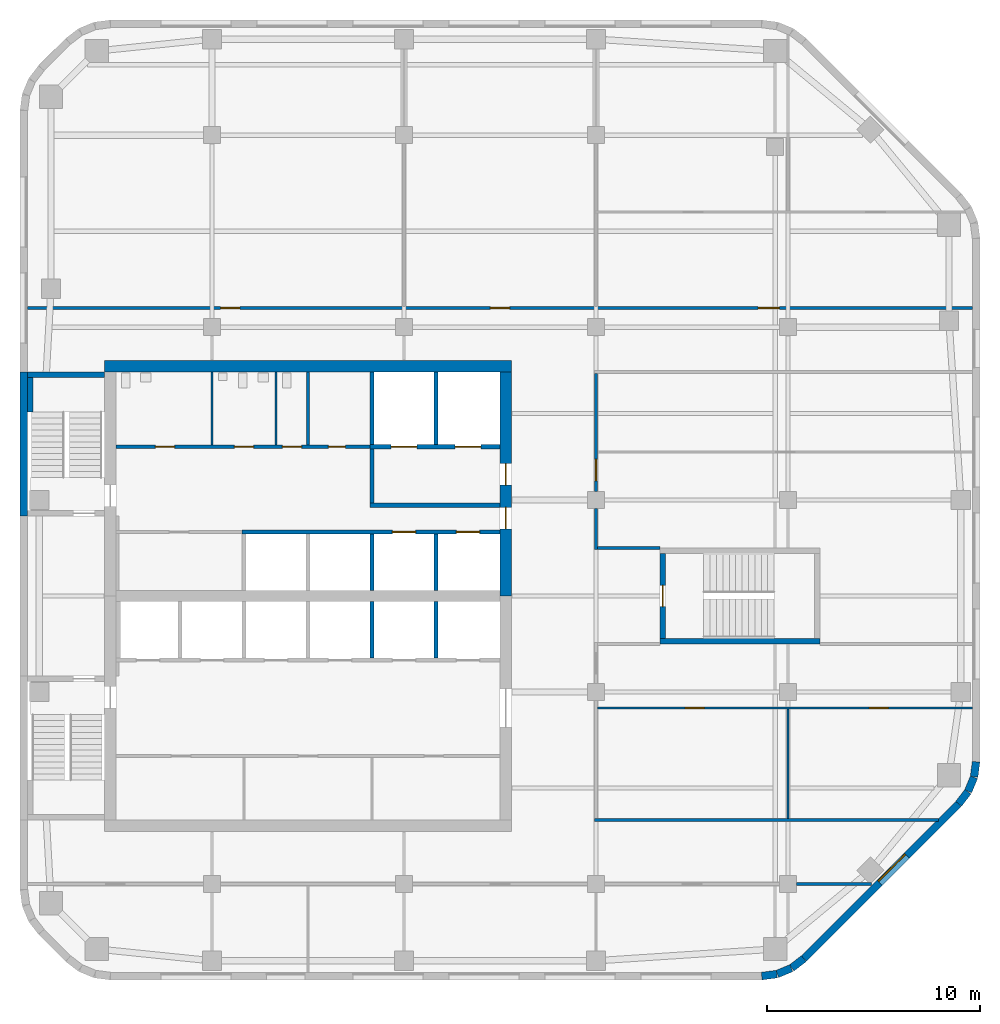
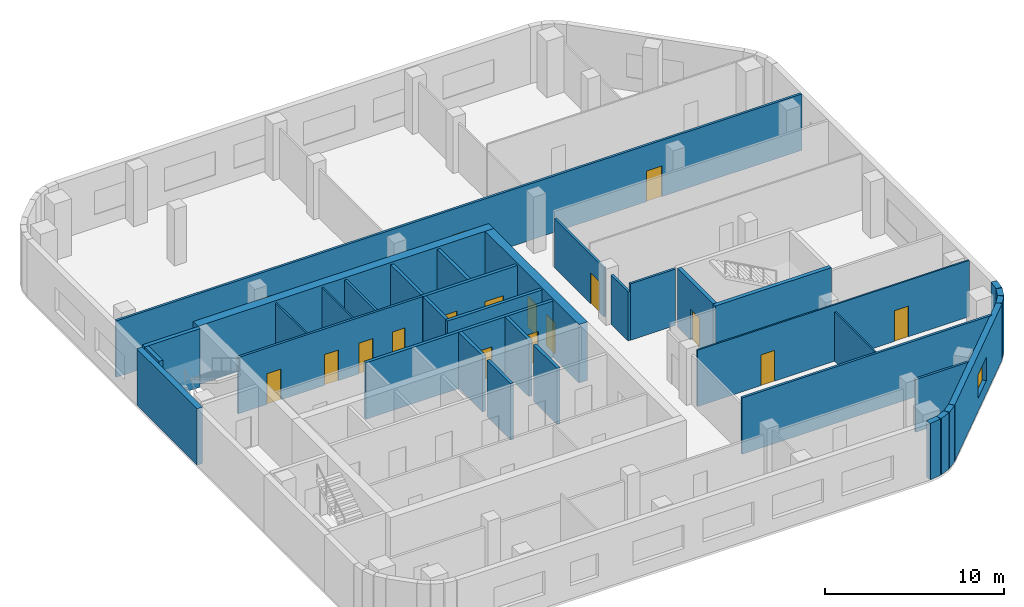
# One storey, part 4 of 8: 36 walls, 17 doors, 1 window, 18 openings.
"""IFC4 building model written with IfcOpenShell, lengths in metres."""

from ifc_helpers import new_model, si_unit, direction, frame, frame_2d, origin, place, context, subcontext, project, spatial, rectangle, extrude, material, layer, layer_set, type_object, element, fill, save


model = new_model("IFC4")

# Units and contexts
model_context = context("Model", 3, precision=1e-05, world=origin(), true_north=direction((0.0, 1.0)))
body_context = subcontext(model_context, "Body", "Model", "MODEL_VIEW")
ifc_project = project(units=[si_unit("LENGTHUNIT", "METRE"), si_unit("AREAUNIT", "SQUARE_METRE"), si_unit("VOLUMEUNIT", "CUBIC_METRE"), si_unit("PLANEANGLEUNIT", "RADIAN"), si_unit("MASSUNIT", "GRAM", prefix="KILO")], contexts=[model_context])

# Site, building, storey
site_placement = place(None, origin())
site = spatial("IfcSite", under=ifc_project, at=site_placement, CompositionType="ELEMENT")
building_placement = place(site_placement, origin())
building = spatial("IfcBuilding", under=site, at=building_placement, Name="Cinnabar Reach Civic Tower", CompositionType="ELEMENT")
storey_placement = place(building_placement, frame((0.0, 0.0, 226.0)))
storey = spatial("IfcBuildingStorey", under=building, at=storey_placement, Name="L54", CompositionType="ELEMENT", Elevation=226.0)

# Walls
ifc_material_1 = material(Name="Facing brick with insulated backing", Category="masonry")
ifc_layer_1 = layer(ifc_material_1, 0.36)
ifc_layer_set_1 = layer_set([ifc_layer_1], Name="Brick corner wall")
wall_type_1 = type_object("IfcWallType", Name="Brick corner wall", PredefinedType="STANDARD", material=ifc_layer_set_1)
for number, where, z_axis, x_axis, name in (
    (1, (34.7686, 13.683, 0.0), (0.0, 0.0, 1.0), (0.99144092581, 0.13055608231, 0.0), "Brick corner wall"),
    (2, (35.4973, 13.7819, 0.0), (0.0, 0.0, 1.0), (0.923871547278, 0.382702709855, 0.0), "Brick corner wall"),
):
    element("IfcWall", number, at=place(storey_placement, frame(where, z_axis=z_axis, x_axis=x_axis)), inside=storey, type_object=wall_type_1, Name=name, PredefinedType="STANDARD", context=body_context, shape_type="SweptSolid", body=[
        extrude(rectangle(XDim=0.7131, YDim=0.36, at=frame_2d((0.3565, 0.0))), origin(), (0.0, 0.0, 1.0), 3.85),
    ])
for number, where, z_axis, x_axis, name in (
    (3, (36.1755, 14.066, 0.0), (0.0, 0.0, 1.0), (0.793321924995, 0.608802368033, 0.0), "Brick corner wall"),
    (4, (43.9998, 21.7587, 0.0), (0.0, 0.0, 1.0), (0.608802368033, 0.793321924995, 0.0), "Brick corner wall"),
):
    element("IfcWall", number, at=place(storey_placement, frame(where, z_axis=z_axis, x_axis=x_axis)), inside=storey, type_object=wall_type_1, Name=name, PredefinedType="STANDARD", context=body_context, shape_type="SweptSolid", body=[
        extrude(rectangle(XDim=0.7132, YDim=0.36, at=frame_2d((0.3566, 0.0))), origin(), (0.0, 0.0, 1.0), 3.85),
    ])
for number, where, z_axis, x_axis, name in (
    (5, (44.4452, 22.3439, 0.0), (0.0, 0.0, 1.0), (0.382702709855, 0.923871547278, 0.0), "Brick corner wall"),
    (6, (44.7239, 23.0244, 0.0), (0.0, 0.0, 1.0), (0.13055608231, 0.99144092581, 0.0), "Brick corner wall"),
):
    element("IfcWall", number, at=place(storey_placement, frame(where, z_axis=z_axis, x_axis=x_axis)), inside=storey, type_object=wall_type_1, Name=name, PredefinedType="STANDARD", context=body_context, shape_type="SweptSolid", body=[
        extrude(rectangle(XDim=0.7131, YDim=0.36, at=frame_2d((0.3565, 0.0))), origin(), (0.0, 0.0, 1.0), 3.85),
    ])

# Wall, opening, window
ifc_layer_2 = layer(ifc_material_1, 0.36)
ifc_layer_set_2 = layer_set([ifc_layer_2], Name="Brick pier and spandrel wall")
wall_type_2 = type_object("IfcWallType", Name="Brick pier and spandrel wall", PredefinedType="STANDARD", material=ifc_layer_set_2)
wall_1_placement = place(storey_placement, frame((36.7514, 14.506, 0.0), z_axis=(0.0, 0.0, 1.0), x_axis=(0.707106781187, 0.707106781187, 0.0)))
wall_1 = element("IfcWall", 7, at=wall_1_placement, inside=storey, type_object=wall_type_2, Name="Brick facade wall", PredefinedType="STANDARD", context=body_context, shape_type="SweptSolid", body=[
    extrude(rectangle(XDim=10.2426, YDim=0.36, at=frame_2d((5.1213, 0.0))), origin(), (0.0, 0.0, 1.0), 3.85),
])
opening_1_placement = place(wall_1_placement, frame((5.0213, 0.0, 0.9)))
opening_1 = element("IfcOpeningElement", 8, at=opening_1_placement, cuts=wall_1, Name="Opening W2106", PredefinedType="OPENING", context=body_context, shape_type="SweptSolid", body=[
    extrude(rectangle(XDim=1.8, YDim=1.6, at=frame_2d((0.9, 0.8))), frame((0.0, 0.19, 0.0), z_axis=(0.0, -1.0, 0.0), x_axis=(1.0, 0.0, 0.0)), (0.0, 0.0, 1.0), 0.38),
])
ifc_material_2 = material(Name="Clear double glazing in aluminium frame", Category="aluminium")
window_type = type_object("IfcWindowType", Name="Deep-set window D", PartitioningType="SINGLE_PANEL", PredefinedType="WINDOW", material=ifc_material_2)
window_placement = place(opening_1_placement, origin())
window = element("IfcWindow", 9, at=window_placement, inside=storey, type_object=window_type, Name="Window southeast face", OverallHeight=1.6, OverallWidth=1.8, PartitioningType="SINGLE_PANEL", PredefinedType="WINDOW", context=body_context, shape_type="SweptSolid", body=[
    extrude(rectangle(XDim=1.8, YDim=1.6, at=frame_2d((0.9, 0.8))), frame((0.0, 0.13, 0.0), z_axis=(0.0, -1.0, 0.0), x_axis=(1.0, 0.0, 0.0)), (0.0, 0.0, 1.0), 0.06),
])
fill(opening_1, window)

# Walls
wall_2_placement = place(storey_placement, frame((0.18, 42.0, 0.0), z_axis=(0.0, 0.0, 1.0), x_axis=(0.0, -1.0, 0.0)))
element("IfcWall", 10, at=wall_2_placement, inside=storey, type_object=wall_type_2, Name="Brick facade wall", PredefinedType="STANDARD", context=body_context, shape_type="SweptSolid", body=[
    extrude(rectangle(XDim=6.75, YDim=0.36, at=frame_2d((3.375, 0.0))), origin(), (0.0, 0.0, 1.0), 3.85),
])
ifc_material_3 = material(Name="Concrete C60", Category="concrete")
ifc_layer_3 = layer(ifc_material_3, 0.55)
ifc_layer_set_3 = layer_set([ifc_layer_3], Name="Core wall 550 EI 180")
wall_type_3 = type_object("IfcWallType", Name="Core wall 550 EI 180", PredefinedType="SOLIDWALL", material=ifc_layer_set_3)
wall_3_placement = place(storey_placement, frame((23.05, 42.275, 0.0), z_axis=(0.0, 0.0, 1.0), x_axis=(-1.0, 0.0, 0.0)))
element("IfcWall", 11, at=wall_3_placement, inside=storey, type_object=wall_type_3, Name="Core wall T1 L54 N", PredefinedType="SOLIDWALL", context=body_context, shape_type="SweptSolid", body=[
    extrude(rectangle(XDim=19.1, YDim=0.55, at=frame_2d((9.55, 0.0))), origin(), (0.0, 0.0, 1.0), 4.0),
])

# Wall, openings, doors
wall_4_placement = place(storey_placement, frame((22.775, 31.5, 0.0), z_axis=(0.0, 0.0, 1.0), x_axis=(0.0, 1.0, 0.0)))
wall_4 = element("IfcWall", 12, at=wall_4_placement, inside=storey, type_object=wall_type_3, Name="Core wall T1 L54 E2", PredefinedType="SOLIDWALL", context=body_context, shape_type="SweptSolid", body=[
    extrude(rectangle(XDim=10.5, YDim=0.55, at=frame_2d((5.25, 0.0))), origin(), (0.0, 0.0, 1.0), 4.0),
])
opening_2_placement = place(wall_4_placement, frame((3.15, 0.0, 0.0)))
opening_2 = element("IfcOpeningElement", 13, at=opening_2_placement, cuts=wall_4, Name="Opening D5201", PredefinedType="OPENING", context=body_context, shape_type="SweptSolid", body=[
    extrude(rectangle(XDim=1.0, YDim=2.1, at=frame_2d((0.5, 1.05))), frame((0.0, 0.285, 0.0), z_axis=(0.0, -1.0, 0.0), x_axis=(1.0, 0.0, 0.0)), (0.0, 0.0, 1.0), 0.57),
])
opening_3_placement = place(wall_4_placement, frame((5.2, 0.0, 0.0)))
opening_3 = element("IfcOpeningElement", 14, at=opening_3_placement, cuts=wall_4, Name="Opening D5202", PredefinedType="OPENING", context=body_context, shape_type="SweptSolid", body=[
    extrude(rectangle(XDim=1.0, YDim=2.1, at=frame_2d((0.5, 1.05))), frame((0.0, 0.285, 0.0), z_axis=(0.0, -1.0, 0.0), x_axis=(1.0, 0.0, 0.0)), (0.0, 0.0, 1.0), 0.57),
])
ifc_material_4 = material(Name="Timber door leaf in steel frame", Category="steel")
door_type_1 = type_object("IfcDoorType", Name="Firefighting lobby door 1000 x 2100 T1", OperationType="SINGLE_SWING_LEFT", PredefinedType="DOOR", material=ifc_material_4)
door_1_placement = place(opening_3_placement, origin())
door_1 = element("IfcDoor", 15, at=door_1_placement, inside=storey, type_object=door_type_1, Name="Door D5202", OperationType="SINGLE_SWING_LEFT", OverallHeight=2.1, OverallWidth=1.0, PredefinedType="DOOR", context=body_context, shape_type="SweptSolid", body=[
    extrude(rectangle(XDim=1.0, YDim=2.1, at=frame_2d((0.5, 1.05))), frame((0.0, 0.025, 0.0), z_axis=(0.0, -1.0, 0.0), x_axis=(1.0, 0.0, 0.0)), (0.0, 0.0, 1.0), 0.05),
])
fill(opening_3, door_1)
door_type_2 = type_object("IfcDoorType", Name="Single swing door 1000 x 2100 T1", OperationType="SINGLE_SWING_LEFT", PredefinedType="DOOR", material=ifc_material_4)
door_2_placement = place(opening_2_placement, origin())
door_2 = element("IfcDoor", 16, at=door_2_placement, inside=storey, type_object=door_type_2, Name="Door D5201", OperationType="SINGLE_SWING_RIGHT", OverallHeight=2.1, OverallWidth=1.0, PredefinedType="DOOR", context=body_context, shape_type="SweptSolid", body=[
    extrude(rectangle(XDim=1.0, YDim=2.1, at=frame_2d((0.5, 1.05))), frame((0.0, 0.025, 0.0), z_axis=(0.0, -1.0, 0.0), x_axis=(1.0, 0.0, 0.0)), (0.0, 0.0, 1.0), 0.05),
])
fill(opening_2, door_2)

ifc_material_5 = material(Name="Gypsum board on steel studs, double layer", Category="steel")
ifc_layer_4 = layer(ifc_material_5, 0.15)
ifc_layer_set_4 = layer_set([ifc_layer_4], Name="Corridor wall 150 T1")
wall_type_4 = type_object("IfcWallType", Name="Corridor wall 150 T1", PredefinedType="PARTITIONING", material=ifc_layer_set_4)
wall_5_placement = place(storey_placement, frame((0.36, 45.0, 0.0), z_axis=(0.0, 0.0, 1.0), x_axis=(1.0, 0.0, 0.0)))
wall_5 = element("IfcWall", 17, at=wall_5_placement, inside=storey, type_object=wall_type_4, Name="Corridor wall 18", PredefinedType="PARTITIONING", context=body_context, shape_type="SweptSolid", body=[
    extrude(rectangle(XDim=44.28, YDim=0.15, at=frame_2d((22.14, 0.0))), origin(), (0.0, 0.0, 1.0), 3.85),
])
opening_4_placement = place(wall_5_placement, frame((9.05, 0.0, 0.0)))
opening_4 = element("IfcOpeningElement", 18, at=opening_4_placement, cuts=wall_5, Name="Opening D5220", PredefinedType="OPENING", context=body_context, shape_type="SweptSolid", body=[
    extrude(rectangle(XDim=0.9, YDim=2.1, at=frame_2d((0.45, 1.05))), frame((0.0, 0.085, 0.0), z_axis=(0.0, -1.0, 0.0), x_axis=(1.0, 0.0, 0.0)), (0.0, 0.0, 1.0), 0.17),
])
opening_5_placement = place(wall_5_placement, frame((21.69, 0.0, 0.0)))
opening_5 = element("IfcOpeningElement", 19, at=opening_5_placement, cuts=wall_5, Name="Opening D5221", PredefinedType="OPENING", context=body_context, shape_type="SweptSolid", body=[
    extrude(rectangle(XDim=0.9, YDim=2.1, at=frame_2d((0.45, 1.05))), frame((0.0, 0.085, 0.0), z_axis=(0.0, -1.0, 0.0), x_axis=(1.0, 0.0, 0.0)), (0.0, 0.0, 1.0), 0.17),
])
opening_6_placement = place(wall_5_placement, frame((34.24, 0.0, 0.0)))
opening_6 = element("IfcOpeningElement", 20, at=opening_6_placement, cuts=wall_5, Name="Opening D5222", PredefinedType="OPENING", context=body_context, shape_type="SweptSolid", body=[
    extrude(rectangle(XDim=1.0, YDim=2.1, at=frame_2d((0.5, 1.05))), frame((0.0, 0.085, 0.0), z_axis=(0.0, -1.0, 0.0), x_axis=(1.0, 0.0, 0.0)), (0.0, 0.0, 1.0), 0.17),
])
door_type_3 = type_object("IfcDoorType", Name="Single swing door 900 x 2100 corridor T1", OperationType="SINGLE_SWING_LEFT", PredefinedType="DOOR", material=ifc_material_4)
door_3_placement = place(opening_4_placement, origin())
door_3 = element("IfcDoor", 21, at=door_3_placement, inside=storey, type_object=door_type_3, Name="Door D5220", OperationType="SINGLE_SWING_RIGHT", OverallHeight=2.1, OverallWidth=0.9, PredefinedType="DOOR", context=body_context, shape_type="SweptSolid", body=[
    extrude(rectangle(XDim=0.9, YDim=2.1, at=frame_2d((0.45, 1.05))), frame((0.0, 0.025, 0.0), z_axis=(0.0, -1.0, 0.0), x_axis=(1.0, 0.0, 0.0)), (0.0, 0.0, 1.0), 0.05),
])
fill(opening_4, door_3)
door_4_placement = place(opening_5_placement, origin())
door_4 = element("IfcDoor", 22, at=door_4_placement, inside=storey, type_object=door_type_3, Name="Door D5221", OperationType="SINGLE_SWING_LEFT", OverallHeight=2.1, OverallWidth=0.9, PredefinedType="DOOR", context=body_context, shape_type="SweptSolid", body=[
    extrude(rectangle(XDim=0.9, YDim=2.1, at=frame_2d((0.45, 1.05))), frame((0.0, 0.025, 0.0), z_axis=(0.0, -1.0, 0.0), x_axis=(1.0, 0.0, 0.0)), (0.0, 0.0, 1.0), 0.05),
])
fill(opening_5, door_4)
door_type_4 = type_object("IfcDoorType", Name="Tenancy entrance door 1000 x 2100 T1", OperationType="SINGLE_SWING_LEFT", PredefinedType="DOOR", material=ifc_material_4)
door_5_placement = place(opening_6_placement, origin())
door_5 = element("IfcDoor", 23, at=door_5_placement, inside=storey, type_object=door_type_4, Name="Door D5222", OperationType="SINGLE_SWING_RIGHT", OverallHeight=2.1, OverallWidth=1.0, PredefinedType="DOOR", context=body_context, shape_type="SweptSolid", body=[
    extrude(rectangle(XDim=1.0, YDim=2.1, at=frame_2d((0.5, 1.05))), frame((0.0, 0.025, 0.0), z_axis=(0.0, -1.0, 0.0), x_axis=(1.0, 0.0, 0.0)), (0.0, 0.0, 1.0), 0.05),
])
fill(opening_6, door_5)

# Walls
wall_6_placement = place(storey_placement, frame((36.4, 18.0, 0.0), z_axis=(0.0, 0.0, 1.0), x_axis=(1.0, 0.0, 0.0)))
element("IfcWall", 24, at=wall_6_placement, inside=storey, type_object=wall_type_4, Name="Corridor wall 19", PredefinedType="PARTITIONING", context=body_context, shape_type="SweptSolid", body=[
    extrude(rectangle(XDim=3.516, YDim=0.15, at=frame_2d((1.758, 0.0))), origin(), (0.0, 0.0, 1.0), 3.602),
])
wall_7_placement = place(storey_placement, frame((26.925, 21.0, 0.0), z_axis=(0.0, 0.0, 1.0), x_axis=(1.0, 0.0, 0.0)))
element("IfcWall", 25, at=wall_7_placement, inside=storey, type_object=wall_type_4, Name="Corridor wall 26", PredefinedType="PARTITIONING", context=body_context, shape_type="SweptSolid", body=[
    extrude(rectangle(XDim=16.1409, YDim=0.15, at=frame_2d((8.0704, 0.0))), origin(), (0.0, 0.0, 1.0), 3.85),
])

# Wall, openings, doors
wall_8_placement = place(storey_placement, frame((4.5, 38.5, 0.0), z_axis=(0.0, 0.0, 1.0), x_axis=(1.0, 0.0, 0.0)))
wall_8 = element("IfcWall", 26, at=wall_8_placement, inside=storey, type_object=wall_type_4, Name="Corridor wall 27", PredefinedType="PARTITIONING", context=body_context, shape_type="SweptSolid", body=[
    extrude(rectangle(XDim=11.9, YDim=0.15, at=frame_2d((5.95, 0.0))), origin(), (0.0, 0.0, 1.0), 3.85),
])
opening_7_placement = place(wall_8_placement, frame((1.85, 0.0, 0.0)))
opening_7 = element("IfcOpeningElement", 27, at=opening_7_placement, cuts=wall_8, Name="Opening D5208", PredefinedType="OPENING", context=body_context, shape_type="SweptSolid", body=[
    extrude(rectangle(XDim=0.9, YDim=2.1, at=frame_2d((0.45, 1.05))), frame((0.0, 0.085, 0.0), z_axis=(0.0, -1.0, 0.0), x_axis=(1.0, 0.0, 0.0)), (0.0, 0.0, 1.0), 0.17),
])
opening_8_placement = place(wall_8_placement, frame((5.55, 0.0, 0.0)))
opening_8 = element("IfcOpeningElement", 28, at=opening_8_placement, cuts=wall_8, Name="Opening D5209", PredefinedType="OPENING", context=body_context, shape_type="SweptSolid", body=[
    extrude(rectangle(XDim=0.9, YDim=2.1, at=frame_2d((0.45, 1.05))), frame((0.0, 0.085, 0.0), z_axis=(0.0, -1.0, 0.0), x_axis=(1.0, 0.0, 0.0)), (0.0, 0.0, 1.0), 0.17),
])
opening_9_placement = place(wall_8_placement, frame((7.8, 0.0, 0.0)))
opening_9 = element("IfcOpeningElement", 29, at=opening_9_placement, cuts=wall_8, Name="Opening D5210", PredefinedType="OPENING", context=body_context, shape_type="SweptSolid", body=[
    extrude(rectangle(XDim=0.9, YDim=2.1, at=frame_2d((0.45, 1.05))), frame((0.0, 0.085, 0.0), z_axis=(0.0, -1.0, 0.0), x_axis=(1.0, 0.0, 0.0)), (0.0, 0.0, 1.0), 0.17),
])
opening_10_placement = place(wall_8_placement, frame((9.95, 0.0, 0.0)))
opening_10 = element("IfcOpeningElement", 30, at=opening_10_placement, cuts=wall_8, Name="Opening D5211", PredefinedType="OPENING", context=body_context, shape_type="SweptSolid", body=[
    extrude(rectangle(XDim=0.8, YDim=2.1, at=frame_2d((0.4, 1.05))), frame((0.0, 0.085, 0.0), z_axis=(0.0, -1.0, 0.0), x_axis=(1.0, 0.0, 0.0)), (0.0, 0.0, 1.0), 0.17),
])
door_type_5 = type_object("IfcDoorType", Name="Riser access door 800 x 2100 T1", OperationType="SINGLE_SWING_LEFT", PredefinedType="DOOR", material=ifc_material_4)
door_6_placement = place(opening_10_placement, origin())
door_6 = element("IfcDoor", 31, at=door_6_placement, inside=storey, type_object=door_type_5, Name="Door D5211", OperationType="SINGLE_SWING_RIGHT", OverallHeight=2.1, OverallWidth=0.8, PredefinedType="DOOR", context=body_context, shape_type="SweptSolid", body=[
    extrude(rectangle(XDim=0.8, YDim=2.1, at=frame_2d((0.4, 1.05))), frame((0.0, 0.025, 0.0), z_axis=(0.0, -1.0, 0.0), x_axis=(1.0, 0.0, 0.0)), (0.0, 0.0, 1.0), 0.05),
])
fill(opening_10, door_6)
door_7_placement = place(opening_7_placement, origin())
door_7 = element("IfcDoor", 32, at=door_7_placement, inside=storey, type_object=door_type_3, Name="Door D5208", OperationType="SINGLE_SWING_LEFT", OverallHeight=2.1, OverallWidth=0.9, PredefinedType="DOOR", context=body_context, shape_type="SweptSolid", body=[
    extrude(rectangle(XDim=0.9, YDim=2.1, at=frame_2d((0.45, 1.05))), frame((0.0, 0.025, 0.0), z_axis=(0.0, -1.0, 0.0), x_axis=(1.0, 0.0, 0.0)), (0.0, 0.0, 1.0), 0.05),
])
fill(opening_7, door_7)
door_8_placement = place(opening_8_placement, origin())
door_8 = element("IfcDoor", 33, at=door_8_placement, inside=storey, type_object=door_type_3, Name="Door D5209", OperationType="SINGLE_SWING_RIGHT", OverallHeight=2.1, OverallWidth=0.9, PredefinedType="DOOR", context=body_context, shape_type="SweptSolid", body=[
    extrude(rectangle(XDim=0.9, YDim=2.1, at=frame_2d((0.45, 1.05))), frame((0.0, 0.025, 0.0), z_axis=(0.0, -1.0, 0.0), x_axis=(1.0, 0.0, 0.0)), (0.0, 0.0, 1.0), 0.05),
])
fill(opening_8, door_8)
door_9_placement = place(opening_9_placement, origin())
door_9 = element("IfcDoor", 34, at=door_9_placement, inside=storey, type_object=door_type_3, Name="Door D5210", OperationType="SINGLE_SWING_RIGHT", OverallHeight=2.1, OverallWidth=0.9, PredefinedType="DOOR", context=body_context, shape_type="SweptSolid", body=[
    extrude(rectangle(XDim=0.9, YDim=2.1, at=frame_2d((0.45, 1.05))), frame((0.0, 0.025, 0.0), z_axis=(0.0, -1.0, 0.0), x_axis=(1.0, 0.0, 0.0)), (0.0, 0.0, 1.0), 0.05),
])
fill(opening_9, door_9)

# Wall
wall_9_placement = place(storey_placement, frame((27.0, 33.675, 0.0), z_axis=(0.0, 0.0, 1.0), x_axis=(0.0, 1.0, 0.0)))
element("IfcWall", 35, at=wall_9_placement, inside=storey, type_object=wall_type_4, Name="Corridor wall 30", PredefinedType="PARTITIONING", context=body_context, shape_type="SweptSolid", body=[
    extrude(rectangle(XDim=1.925, YDim=0.15, at=frame_2d((0.9625, 0.0))), origin(), (0.0, 0.0, 1.0), 3.35),
])

# Wall, opening, door
wall_10_placement = place(storey_placement, frame((27.0, 36.4, 0.0), z_axis=(0.0, 0.0, 1.0), x_axis=(0.0, 1.0, 0.0)))
wall_10 = element("IfcWall", 36, at=wall_10_placement, inside=storey, type_object=wall_type_4, Name="Corridor wall 31", PredefinedType="PARTITIONING", context=body_context, shape_type="SweptSolid", body=[
    extrude(rectangle(XDim=5.525, YDim=0.15, at=frame_2d((2.7625, 0.0))), origin(), (0.0, 0.0, 1.0), 3.35),
])
opening_11_placement = place(wall_10_placement, frame((0.5, 0.0, 0.0)))
opening_11 = element("IfcOpeningElement", 37, at=opening_11_placement, cuts=wall_10, Name="Opening D5212", PredefinedType="OPENING", context=body_context, shape_type="SweptSolid", body=[
    extrude(rectangle(XDim=1.0, YDim=2.1, at=frame_2d((0.5, 1.05))), frame((0.0, 0.085, 0.0), z_axis=(0.0, -1.0, 0.0), x_axis=(1.0, 0.0, 0.0)), (0.0, 0.0, 1.0), 0.17),
])
door_10_placement = place(opening_11_placement, frame((1.0, 0.0, 0.0), z_axis=(0.0, 0.0, 1.0), x_axis=(-1.0, 0.0, 0.0)))
door_10 = element("IfcDoor", 38, at=door_10_placement, inside=storey, type_object=door_type_4, Name="Door D5212", OperationType="SINGLE_SWING_LEFT", OverallHeight=2.1, OverallWidth=1.0, PredefinedType="DOOR", context=body_context, shape_type="SweptSolid", body=[
    extrude(rectangle(XDim=1.0, YDim=2.1, at=frame_2d((0.5, 1.05))), frame((0.0, 0.025, 0.0), z_axis=(0.0, -1.0, 0.0), x_axis=(1.0, 0.0, 0.0)), (0.0, 0.0, 1.0), 0.05),
])
fill(opening_11, door_10)

# Wall
wall_11_placement = place(storey_placement, frame((27.075, 33.75, 0.0), z_axis=(0.0, 0.0, 1.0), x_axis=(1.0, 0.0, 0.0)))
element("IfcWall", 39, at=wall_11_placement, inside=storey, type_object=wall_type_4, Name="Corridor wall 36", PredefinedType="PARTITIONING", context=body_context, shape_type="SweptSolid", body=[
    extrude(rectangle(XDim=2.925, YDim=0.15, at=frame_2d((1.4625, 0.0))), origin(), (0.0, 0.0, 1.0), 3.85),
])

# Wall, openings, doors
ifc_material_6 = material(Name="Blockwork", Category="masonry")
ifc_layer_5 = layer(ifc_material_6, 0.2)
ifc_layer_set_5 = layer_set([ifc_layer_5], Name="Lift shaft wall 200 T1")
wall_type_5 = type_object("IfcWallType", Name="Lift shaft wall 200 T1", PredefinedType="PARTITIONING", material=ifc_layer_set_5)
wall_12_placement = place(storey_placement, frame((10.4, 34.5, 0.0), z_axis=(0.0, 0.0, 1.0), x_axis=(1.0, 0.0, 0.0)))
wall_12 = element("IfcWall", 40, at=wall_12_placement, inside=storey, type_object=wall_type_5, Name="Lift shaft wall 5", PredefinedType="PARTITIONING", context=body_context, shape_type="SweptSolid", body=[
    extrude(rectangle(XDim=12.1, YDim=0.2, at=frame_2d((6.05, 0.0))), origin(), (0.0, 0.0, 1.0), 3.85),
])
opening_12_placement = place(wall_12_placement, frame((7.05, 0.0, 0.0)))
opening_12 = element("IfcOpeningElement", 41, at=opening_12_placement, cuts=wall_12, Name="Opening D5196", PredefinedType="OPENING", context=body_context, shape_type="SweptSolid", body=[
    extrude(rectangle(XDim=1.1, YDim=2.1, at=frame_2d((0.55, 1.05))), frame((0.0, 0.11, 0.0), z_axis=(0.0, -1.0, 0.0), x_axis=(1.0, 0.0, 0.0)), (0.0, 0.0, 1.0), 0.22),
])
opening_13_placement = place(wall_12_placement, frame((10.05, 0.0, 0.0)))
opening_13 = element("IfcOpeningElement", 42, at=opening_13_placement, cuts=wall_12, Name="Opening D5197", PredefinedType="OPENING", context=body_context, shape_type="SweptSolid", body=[
    extrude(rectangle(XDim=1.1, YDim=2.1, at=frame_2d((0.55, 1.05))), frame((0.0, 0.11, 0.0), z_axis=(0.0, -1.0, 0.0), x_axis=(1.0, 0.0, 0.0)), (0.0, 0.0, 1.0), 0.22),
])
ifc_material_7 = material(Name="Stainless steel sliding door", Category="steel")
door_type_6 = type_object("IfcDoorType", Name="Lift landing door 1100 x 2100 T1", OperationType="SLIDING_TO_LEFT", PredefinedType="DOOR", material=ifc_material_7)
door_11_placement = place(opening_12_placement, origin())
door_11 = element("IfcDoor", 43, at=door_11_placement, inside=storey, type_object=door_type_6, Name="Lift landing door SV1 L54", OperationType="SLIDING_TO_LEFT", OverallHeight=2.1, OverallWidth=1.1, PredefinedType="DOOR", context=body_context, shape_type="SweptSolid", body=[
    extrude(rectangle(XDim=1.1, YDim=2.1, at=frame_2d((0.55, 1.05))), frame((0.0, 0.025, 0.0), z_axis=(0.0, -1.0, 0.0), x_axis=(1.0, 0.0, 0.0)), (0.0, 0.0, 1.0), 0.05),
])
fill(opening_12, door_11)
door_12_placement = place(opening_13_placement, origin())
door_12 = element("IfcDoor", 44, at=door_12_placement, inside=storey, type_object=door_type_6, Name="Lift landing door SV2 L54", OperationType="SLIDING_TO_LEFT", OverallHeight=2.1, OverallWidth=1.1, PredefinedType="DOOR", context=body_context, shape_type="SweptSolid", body=[
    extrude(rectangle(XDim=1.1, YDim=2.1, at=frame_2d((0.55, 1.05))), frame((0.0, 0.025, 0.0), z_axis=(0.0, -1.0, 0.0), x_axis=(1.0, 0.0, 0.0)), (0.0, 0.0, 1.0), 0.05),
])
fill(opening_13, door_12)

# Walls
for number, where, z_axis, x_axis, name in (
    (45, (16.5, 28.6, 0.0), (0.0, 0.0, 1.0), (0.0, 1.0, 0.0), "Lift shaft wall 10"),
    (46, (16.5, 31.75, 0.0), (0.0, 0.0, 1.0), (0.0, 1.0, 0.0), "Lift shaft wall 11"),
    (47, (19.5, 28.6, 0.0), (0.0, 0.0, 1.0), (0.0, 1.0, 0.0), "Lift shaft wall 12"),
    (48, (19.5, 31.75, 0.0), (0.0, 0.0, 1.0), (0.0, 1.0, 0.0), "Lift shaft wall 13"),
):
    element("IfcWall", number, at=place(storey_placement, frame(where, z_axis=z_axis, x_axis=x_axis)), inside=storey, type_object=wall_type_5, Name=name, PredefinedType="PARTITIONING", context=body_context, shape_type="SweptSolid", body=[
        extrude(rectangle(XDim=2.65, YDim=0.2, at=frame_2d((1.325, 0.0))), origin(), (0.0, 0.0, 1.0), 3.85),
    ])
for number, where, z_axis, x_axis, name in (
    (49, (16.5, 38.6, 0.0), (0.0, 0.0, 1.0), (0.0, 1.0, 0.0), "Lift shaft wall 14"),
    (50, (19.5, 38.6, 0.0), (0.0, 0.0, 1.0), (0.0, 1.0, 0.0), "Lift shaft wall 15"),
):
    element("IfcWall", number, at=place(storey_placement, frame(where, z_axis=z_axis, x_axis=x_axis)), inside=storey, type_object=wall_type_5, Name=name, PredefinedType="PARTITIONING", context=body_context, shape_type="SweptSolid", body=[
        extrude(rectangle(XDim=3.4, YDim=0.2, at=frame_2d((1.7, 0.0))), origin(), (0.0, 0.0, 1.0), 3.85),
    ])

# Wall, openings, doors
ifc_material_8 = material(Name="Gypsum board on steel studs", Category="steel")
ifc_layer_6 = layer(ifc_material_8, 0.1)
ifc_layer_set_6 = layer_set([ifc_layer_6], Name="Partition wall 100 T1")
wall_type_6 = type_object("IfcWallType", Name="Partition wall 100 T1", PredefinedType="PARTITIONING", material=ifc_layer_set_6)
wall_13_placement = place(storey_placement, frame((27.075, 26.25, 0.0), z_axis=(0.0, 0.0, 1.0), x_axis=(1.0, 0.0, 0.0)))
wall_13 = element("IfcWall", 51, at=wall_13_placement, inside=storey, type_object=wall_type_6, Name="Partition wall 40", PredefinedType="PARTITIONING", context=body_context, shape_type="SweptSolid", body=[
    extrude(rectangle(XDim=17.565, YDim=0.1, at=frame_2d((8.7825, 0.0))), origin(), (0.0, 0.0, 1.0), 3.85),
])
opening_14_placement = place(wall_13_placement, frame((4.1, 0.0, 0.0)))
opening_14 = element("IfcOpeningElement", 52, at=opening_14_placement, cuts=wall_13, Name="Opening D5215", PredefinedType="OPENING", context=body_context, shape_type="SweptSolid", body=[
    extrude(rectangle(XDim=0.9, YDim=2.1, at=frame_2d((0.45, 1.05))), frame((0.0, 0.06, 0.0), z_axis=(0.0, -1.0, 0.0), x_axis=(1.0, 0.0, 0.0)), (0.0, 0.0, 1.0), 0.12),
])
opening_15_placement = place(wall_13_placement, frame((12.725, 0.0, 0.0)))
opening_15 = element("IfcOpeningElement", 53, at=opening_15_placement, cuts=wall_13, Name="Opening D5216", PredefinedType="OPENING", context=body_context, shape_type="SweptSolid", body=[
    extrude(rectangle(XDim=0.9, YDim=2.1, at=frame_2d((0.45, 1.05))), frame((0.0, 0.06, 0.0), z_axis=(0.0, -1.0, 0.0), x_axis=(1.0, 0.0, 0.0)), (0.0, 0.0, 1.0), 0.12),
])
door_type_7 = type_object("IfcDoorType", Name="Single swing door 900 x 2100 T1", OperationType="SINGLE_SWING_LEFT", PredefinedType="DOOR", material=ifc_material_4)
door_13_placement = place(opening_14_placement, frame((0.9, 0.0, 0.0), z_axis=(0.0, 0.0, 1.0), x_axis=(-1.0, 0.0, 0.0)))
door_13 = element("IfcDoor", 54, at=door_13_placement, inside=storey, type_object=door_type_7, Name="Door D5215", OperationType="SINGLE_SWING_LEFT", OverallHeight=2.1, OverallWidth=0.9, PredefinedType="DOOR", context=body_context, shape_type="SweptSolid", body=[
    extrude(rectangle(XDim=0.9, YDim=2.1, at=frame_2d((0.45, 1.05))), frame((0.0, 0.025, 0.0), z_axis=(0.0, -1.0, 0.0), x_axis=(1.0, 0.0, 0.0)), (0.0, 0.0, 1.0), 0.05),
])
fill(opening_14, door_13)
door_14_placement = place(opening_15_placement, frame((0.9, 0.0, 0.0), z_axis=(0.0, 0.0, 1.0), x_axis=(-1.0, 0.0, 0.0)))
door_14 = element("IfcDoor", 55, at=door_14_placement, inside=storey, type_object=door_type_7, Name="Door D5216", OperationType="SINGLE_SWING_LEFT", OverallHeight=2.1, OverallWidth=0.9, PredefinedType="DOOR", context=body_context, shape_type="SweptSolid", body=[
    extrude(rectangle(XDim=0.9, YDim=2.1, at=frame_2d((0.45, 1.05))), frame((0.0, 0.025, 0.0), z_axis=(0.0, -1.0, 0.0), x_axis=(1.0, 0.0, 0.0)), (0.0, 0.0, 1.0), 0.05),
])
fill(opening_15, door_14)

# Walls
wall_14_placement = place(storey_placement, frame((36.0, 21.075, 0.0), z_axis=(0.0, 0.0, 1.0), x_axis=(0.0, 1.0, 0.0)))
element("IfcWall", 56, at=wall_14_placement, inside=storey, type_object=wall_type_6, Name="Partition wall 49", PredefinedType="PARTITIONING", context=body_context, shape_type="SweptSolid", body=[
    extrude(rectangle(XDim=5.125, YDim=0.1, at=frame_2d((2.5625, 0.0))), origin(), (0.0, 0.0, 1.0), 3.35),
])
for number, where, z_axis, x_axis, name in (
    (57, (9.0, 38.575, 0.0), (0.0, 0.0, 1.0), (0.0, 1.0, 0.0), "Partition wall 52"),
    (58, (12.0, 38.575, 0.0), (0.0, 0.0, 1.0), (0.0, 1.0, 0.0), "Partition wall 53"),
):
    element("IfcWall", number, at=place(storey_placement, frame(where, z_axis=z_axis, x_axis=x_axis)), inside=storey, type_object=wall_type_6, Name=name, PredefinedType="PARTITIONING", context=body_context, shape_type="SweptSolid", body=[
        extrude(rectangle(XDim=3.425, YDim=0.1, at=frame_2d((1.7125, 0.0))), origin(), (0.0, 0.0, 1.0), 3.85),
    ])
ifc_material_9 = material(Name="Concrete C40", Category="concrete")
ifc_layer_7 = layer(ifc_material_9, 0.2)
ifc_layer_set_7 = layer_set([ifc_layer_7], Name="Refuge compartment wall 200 T1")
wall_type_7 = type_object("IfcWallType", Name="Refuge compartment wall 200 T1", PredefinedType="PARTITIONING", material=ifc_layer_set_7)
wall_15_placement = place(storey_placement, frame((16.4, 35.75, 0.0), z_axis=(0.0, 0.0, 1.0), x_axis=(1.0, 0.0, 0.0)))
element("IfcWall", 59, at=wall_15_placement, inside=storey, type_object=wall_type_7, Name="Refuge compartment wall 1", PredefinedType="PARTITIONING", context=body_context, shape_type="SweptSolid", body=[
    extrude(rectangle(XDim=6.1, YDim=0.2, at=frame_2d((3.05, 0.0))), origin(), (0.0, 0.0, 1.0), 3.85),
])

# Wall, openings, doors
wall_16_placement = place(storey_placement, frame((16.4, 38.5, 0.0), z_axis=(0.0, 0.0, 1.0), x_axis=(1.0, 0.0, 0.0)))
wall_16 = element("IfcWall", 60, at=wall_16_placement, inside=storey, type_object=wall_type_7, Name="Refuge compartment wall 2", PredefinedType="PARTITIONING", context=body_context, shape_type="SweptSolid", body=[
    extrude(rectangle(XDim=6.1, YDim=0.2, at=frame_2d((3.05, 0.0))), origin(), (0.0, 0.0, 1.0), 3.85),
])
opening_16_placement = place(wall_16_placement, frame((1.0, 0.0, 0.0)))
opening_16 = element("IfcOpeningElement", 61, at=opening_16_placement, cuts=wall_16, Name="Opening D5198", PredefinedType="OPENING", context=body_context, shape_type="SweptSolid", body=[
    extrude(rectangle(XDim=1.2, YDim=2.1, at=frame_2d((0.6, 1.05))), frame((0.0, 0.11, 0.0), z_axis=(0.0, -1.0, 0.0), x_axis=(1.0, 0.0, 0.0)), (0.0, 0.0, 1.0), 0.22),
])
opening_17_placement = place(wall_16_placement, frame((4.0, 0.0, 0.0)))
opening_17 = element("IfcOpeningElement", 62, at=opening_17_placement, cuts=wall_16, Name="Opening D5199", PredefinedType="OPENING", context=body_context, shape_type="SweptSolid", body=[
    extrude(rectangle(XDim=1.2, YDim=2.1, at=frame_2d((0.6, 1.05))), frame((0.0, 0.11, 0.0), z_axis=(0.0, -1.0, 0.0), x_axis=(1.0, 0.0, 0.0)), (0.0, 0.0, 1.0), 0.22),
])
door_type_8 = type_object("IfcDoorType", Name="Firefighting lift landing door 1200 x 2100 T1", OperationType="SLIDING_TO_LEFT", PredefinedType="DOOR", material=ifc_material_7)
door_15_placement = place(opening_16_placement, origin())
door_15 = element("IfcDoor", 63, at=door_15_placement, inside=storey, type_object=door_type_8, Name="Lift landing door FF1 L54", OperationType="SLIDING_TO_LEFT", OverallHeight=2.1, OverallWidth=1.2, PredefinedType="DOOR", context=body_context, shape_type="SweptSolid", body=[
    extrude(rectangle(XDim=1.2, YDim=2.1, at=frame_2d((0.6, 1.05))), frame((0.0, 0.025, 0.0), z_axis=(0.0, -1.0, 0.0), x_axis=(1.0, 0.0, 0.0)), (0.0, 0.0, 1.0), 0.05),
])
fill(opening_16, door_15)
door_16_placement = place(opening_17_placement, origin())
door_16 = element("IfcDoor", 64, at=door_16_placement, inside=storey, type_object=door_type_8, Name="Lift landing door FF2 L54", OperationType="SLIDING_TO_LEFT", OverallHeight=2.1, OverallWidth=1.2, PredefinedType="DOOR", context=body_context, shape_type="SweptSolid", body=[
    extrude(rectangle(XDim=1.2, YDim=2.1, at=frame_2d((0.6, 1.05))), frame((0.0, 0.025, 0.0), z_axis=(0.0, -1.0, 0.0), x_axis=(1.0, 0.0, 0.0)), (0.0, 0.0, 1.0), 0.05),
])
fill(opening_17, door_16)

# Walls
wall_17_placement = place(storey_placement, frame((16.5, 35.85, 0.0), z_axis=(0.0, 0.0, 1.0), x_axis=(0.0, 1.0, 0.0)))
element("IfcWall", 65, at=wall_17_placement, inside=storey, type_object=wall_type_7, Name="Refuge compartment wall 3", PredefinedType="PARTITIONING", context=body_context, shape_type="SweptSolid", body=[
    extrude(rectangle(XDim=2.55, YDim=0.2, at=frame_2d((1.275, 0.0))), origin(), (0.0, 0.0, 1.0), 3.85),
])
ifc_layer_8 = layer(ifc_material_6, 0.15)
ifc_layer_set_8 = layer_set([ifc_layer_8], Name="Riser wall 150 T1")
wall_type_8 = type_object("IfcWallType", Name="Riser wall 150 T1", PredefinedType="PARTITIONING", material=ifc_layer_set_8)
wall_18_placement = place(storey_placement, frame((13.5, 38.575, 0.0), z_axis=(0.0, 0.0, 1.0), x_axis=(0.0, 1.0, 0.0)))
element("IfcWall", 66, at=wall_18_placement, inside=storey, type_object=wall_type_8, Name="Riser wall 38", PredefinedType="PARTITIONING", context=body_context, shape_type="SweptSolid", body=[
    extrude(rectangle(XDim=3.425, YDim=0.15, at=frame_2d((1.7125, 0.0))), origin(), (0.0, 0.0, 1.0), 3.85),
])
ifc_layer_9 = layer(ifc_material_3, 0.25)
ifc_layer_set_9 = layer_set([ifc_layer_9], Name="Stair shaft wall 250 EI 120")
wall_type_9 = type_object("IfcWallType", Name="Stair shaft wall 250 EI 120", PredefinedType="SOLIDWALL", material=ifc_layer_set_9)
wall_19_placement = place(storey_placement, frame((3.95, 41.875, 0.0), z_axis=(0.0, 0.0, 1.0), x_axis=(-1.0, 0.0, 0.0)))
element("IfcWall", 67, at=wall_19_placement, inside=storey, type_object=wall_type_9, Name="Stair shaft wall T1-S2 L54", PredefinedType="SOLIDWALL", context=body_context, shape_type="SweptSolid", body=[
    extrude(rectangle(XDim=3.59, YDim=0.25, at=frame_2d((1.795, 0.0))), origin(), (0.0, 0.0, 1.0), 4.0),
])
wall_20_placement = place(storey_placement, frame((30.0, 29.375, 0.0), z_axis=(0.0, 0.0, 1.0), x_axis=(1.0, 0.0, 0.0)))
element("IfcWall", 68, at=wall_20_placement, inside=storey, type_object=wall_type_9, Name="Stair shaft wall T1-S3 L54", PredefinedType="SOLIDWALL", context=body_context, shape_type="SweptSolid", body=[
    extrude(rectangle(XDim=7.5, YDim=0.25, at=frame_2d((3.75, 0.0))), origin(), (0.0, 0.0, 1.0), 4.0),
])

# Wall, opening, door
wall_21_placement = place(storey_placement, frame((30.125, 33.5, 0.0), z_axis=(0.0, 0.0, 1.0), x_axis=(0.0, -1.0, 0.0)))
wall_21 = element("IfcWall", 69, at=wall_21_placement, inside=storey, type_object=wall_type_9, Name="Stair shaft wall T1-S3 L54", PredefinedType="SOLIDWALL", context=body_context, shape_type="SweptSolid", body=[
    extrude(rectangle(XDim=4.0, YDim=0.25, at=frame_2d((2.0, 0.0))), origin(), (0.0, 0.0, 1.0), 4.0),
])
opening_18_placement = place(wall_21_placement, frame((1.5, 0.0, 0.0)))
opening_18 = element("IfcOpeningElement", 70, at=opening_18_placement, cuts=wall_21, Name="Opening D5203", PredefinedType="OPENING", context=body_context, shape_type="SweptSolid", body=[
    extrude(rectangle(XDim=1.0, YDim=2.1, at=frame_2d((0.5, 1.05))), frame((0.0, 0.135, 0.0), z_axis=(0.0, -1.0, 0.0), x_axis=(1.0, 0.0, 0.0)), (0.0, 0.0, 1.0), 0.27),
])
door_type_9 = type_object("IfcDoorType", Name="Stair door 1000 x 2100 T1", OperationType="SINGLE_SWING_LEFT", PredefinedType="DOOR", material=ifc_material_4)
door_17_placement = place(opening_18_placement, origin())
door_17 = element("IfcDoor", 71, at=door_17_placement, inside=storey, type_object=door_type_9, Name="Door D5203", OperationType="SINGLE_SWING_LEFT", OverallHeight=2.1, OverallWidth=1.0, PredefinedType="DOOR", context=body_context, shape_type="SweptSolid", body=[
    extrude(rectangle(XDim=1.0, YDim=2.1, at=frame_2d((0.5, 1.05))), frame((0.0, 0.025, 0.0), z_axis=(0.0, -1.0, 0.0), x_axis=(1.0, 0.0, 0.0)), (0.0, 0.0, 1.0), 0.05),
])
fill(opening_18, door_17)

# Wall
ifc_material_10 = material(Name="Concrete C40/50", Category="concrete")
ifc_layer_10 = layer(ifc_material_10, 0.24)
ifc_layer_set_10 = layer_set([ifc_layer_10], Name="T1 landing bearer wall 240")
wall_type_10 = type_object("IfcWallType", Name="T1 landing bearer wall 240", PredefinedType="STANDARD", material=ifc_layer_set_10)
wall_22_placement = place(storey_placement, frame((0.48, 40.13, 0.0), z_axis=(0.0, 0.0, 1.0), x_axis=(0.0, 1.0, 0.0)))
element("IfcWall", 72, at=wall_22_placement, inside=storey, type_object=wall_type_10, Name="T1-S2 landing bearer wall", PredefinedType="STANDARD", context=body_context, shape_type="SweptSolid", body=[
    extrude(rectangle(XDim=1.62, YDim=0.24, at=frame_2d((0.81, 0.0))), origin(), (0.0, 0.0, 1.0), 4.0),
])

save(model, "model.ifc")
